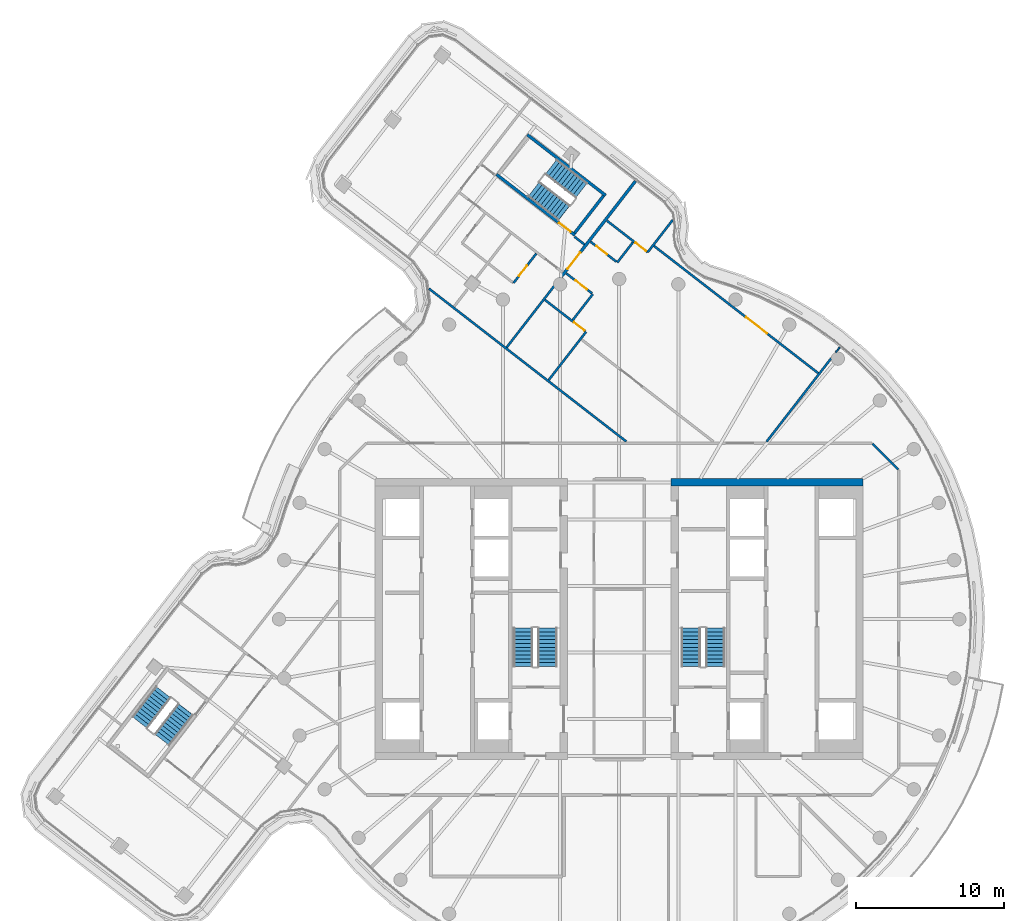
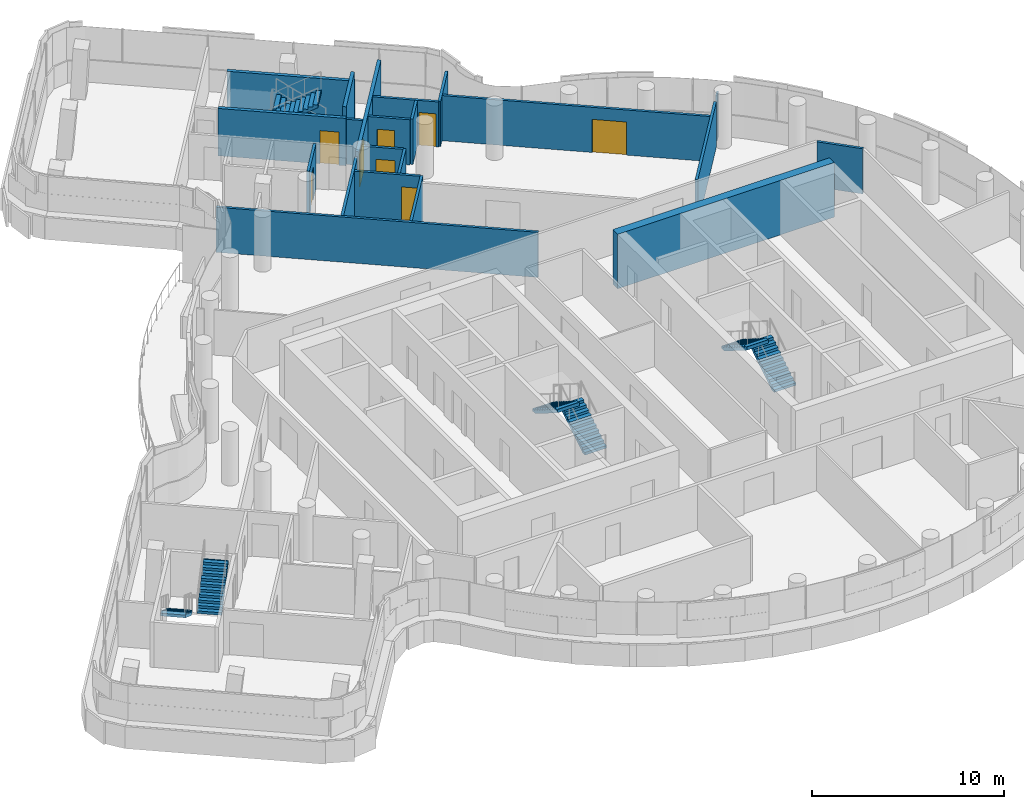
# One storey, part 20 of 26: 21 walls, 8 doors, 8 stair flights, 8 openings, 4 elements without a shape of their own.
"""IFC4 building model written with IfcOpenShell, lengths in metres."""

from ifc_helpers import new_model, si_unit, direction, frame, frame_2d, origin, place, context, subcontext, project, spatial, polyline, rectangle, outline, extrude, material, layer, layer_set, type_object, element, fill, aggregate, save


model = new_model("IFC4")

# Units and contexts
model_context = context("Model", 3, precision=1e-05, world=origin(), true_north=direction((0.0, 1.0)))
body_context = subcontext(model_context, "Body", "Model", "MODEL_VIEW")
ifc_project = project(units=[si_unit("LENGTHUNIT", "METRE"), si_unit("AREAUNIT", "SQUARE_METRE"), si_unit("VOLUMEUNIT", "CUBIC_METRE"), si_unit("PLANEANGLEUNIT", "RADIAN"), si_unit("MASSUNIT", "GRAM", prefix="KILO")], contexts=[model_context])

# Site, building, storey
site_placement = place(None, origin())
site = spatial("IfcSite", under=ifc_project, at=site_placement, CompositionType="ELEMENT")
building_placement = place(site_placement, origin())
building = spatial("IfcBuilding", under=site, at=building_placement, Name="Tamarind Cross Interchange Tower", CompositionType="ELEMENT")
storey_placement = place(building_placement, frame((0.0, 0.0, 223.5)))
storey = spatial("IfcBuildingStorey", under=building, at=storey_placement, Name="L56", CompositionType="ELEMENT", Elevation=223.5)

# Walls
ifc_material_1 = material(Name="Concrete C50", Category="concrete")
ifc_layer_1 = layer(ifc_material_1, 0.5)
ifc_layer_set_1 = layer_set([ifc_layer_1], Name="Concrete C50")
wall_type_1 = type_object("IfcWallType", Name="Core wall 500 mm Concrete C50", PredefinedType="SHEAR", material=ifc_layer_set_1)
wall_1_placement = place(storey_placement, frame((16.5, 9.25, 0.0), z_axis=(0.0, 0.0, 1.0), x_axis=(-1.0, 0.0, 0.0)))
element("IfcWall", 1, at=wall_1_placement, inside=storey, type_object=wall_type_1, Name="Core wall CWL-L56-E-NE", PredefinedType="SHEAR", context=body_context, shape_type="SweptSolid", body=[
    extrude(rectangle(XDim=13.0, YDim=0.5, at=frame_2d((6.5, 0.0))), origin(), (0.0, 0.0, 1.0), 3.4599609375),
])
ifc_material_2 = material(Name="Gypsum board partition on steel studs", Category="steel")
ifc_layer_2 = layer(ifc_material_2, 0.10009765625)
ifc_layer_set_2 = layer_set([ifc_layer_2], Name="Gypsum board partition on steel studs")
wall_type_2 = type_object("IfcWallType", Name="Partition 100 mm EI 90", PredefinedType="PARTITIONING", material=ifc_layer_set_2)
wall_2_placement = place(storey_placement, frame((14.643310546875, 18.041259765625, 0.0), z_axis=(0.0, 0.0, 1.0), x_axis=(0.612217769342, 0.790689194881, 0.0)))
element("IfcWall", 2, at=wall_2_placement, inside=storey, type_object=wall_type_2, Name="Partition L56-052", PredefinedType="PARTITIONING", context=body_context, shape_type="SweptSolid", body=[
    extrude(rectangle(XDim=0.44189453125, YDim=0.10009765625, at=frame_2d((0.220947265625, 0.0))), origin(), (0.0, 0.0, 1.0), 2.864013671875),
])
ifc_layer_3 = layer(ifc_material_2, 0.14990234375)
ifc_layer_set_3 = layer_set([ifc_layer_3], Name="Gypsum board partition on steel studs")
wall_type_3 = type_object("IfcWallType", Name="Partition 150 mm EI 120", PredefinedType="PARTITIONING", material=ifc_layer_set_3)
wall_3_placement = place(storey_placement, frame((17.12841796875, 11.87158203125, 0.0), z_axis=(0.0, 0.0, 1.0), x_axis=(0.707106781187, -0.707106781187, 0.0)))
element("IfcWall", 3, at=wall_3_placement, inside=storey, type_object=wall_type_3, Name="Partition L56-003", PredefinedType="PARTITIONING", context=body_context, shape_type="SweptSolid", body=[
    extrude(rectangle(XDim=2.465087890625, YDim=0.14990234375, at=frame_2d((1.232421875, 0.0))), origin(), (0.0, 0.0, 1.0), 2.864013671875),
])
wall_4_placement = place(storey_placement, frame((-12.86767578125, 22.353759765625, 0.0), z_axis=(0.0, 0.0, 1.0), x_axis=(0.790589551305, -0.61234643901, 0.0)))
element("IfcWall", 4, at=wall_4_placement, inside=storey, type_object=wall_type_3, Name="Partition L56-012", PredefinedType="PARTITIONING", context=body_context, shape_type="SweptSolid", body=[
    extrude(rectangle(XDim=16.881591796875, YDim=0.14990234375, at=frame_2d((8.44091796875, 0.0))), origin(), (0.0, 0.0, 1.0), 2.864013671875),
])
wall_5_placement = place(storey_placement, frame((-3.028564453125, 25.8642578125, 0.0), z_axis=(0.0, 0.0, 1.0), x_axis=(0.79054207558, -0.612407729163, 0.0)))
element("IfcWall", 5, at=wall_5_placement, inside=storey, type_object=wall_type_3, Name="Partition L56-016", PredefinedType="PARTITIONING", context=body_context, shape_type="SweptSolid", body=[
    extrude(rectangle(XDim=0.860595703125, YDim=0.14990234375, at=frame_2d((0.43017578125, 0.0))), origin(), (0.0, 0.0, 1.0), 2.864013671875),
])

# Wall, opening, door
wall_6_placement = place(storey_placement, frame((-5.022705078125, 21.590087890625, 0.0), z_axis=(0.0, 0.0, 1.0), x_axis=(0.790487958192, -0.612477581592, 0.0)))
wall_6 = element("IfcWall", 6, at=wall_6_placement, inside=storey, type_object=wall_type_3, Name="Partition L56-017", PredefinedType="PARTITIONING", context=body_context, shape_type="SweptSolid", body=[
    extrude(rectangle(XDim=3.4453125, YDim=0.14990234375, at=frame_2d((1.72265625, 0.0))), origin(), (0.0, 0.0, 1.0), 2.864013671875),
])
opening_1_placement = place(wall_6_placement, frame((2.469970703125, 0.0, 0.0)))
opening_1 = element("IfcOpeningElement", 7, at=opening_1_placement, cuts=wall_6, Name="Opening D06", PredefinedType="OPENING", context=body_context, shape_type="SweptSolid", body=[
    extrude(rectangle(XDim=0.89990234375, YDim=2.10009765625, at=frame_2d((0.449951171875, 1.050048828125))), frame((0.0, 0.0849609375, 0.0), z_axis=(0.0, -1.0, 0.0), x_axis=(1.0, 0.0, 0.0)), (0.0, 0.0, 1.0), 0.169921875),
])
ifc_material_3 = material(Name="Fire-resisting door set")
door_type_1 = type_object("IfcDoorType", Name="Interior door 900 x 2100 FD60S", OperationType="SINGLE_SWING_LEFT", PredefinedType="DOOR", material=ifc_material_3)
door_1_placement = place(opening_1_placement, frame((0.89990234375, 0.0, 0.0), z_axis=(0.0, 0.0, 1.0), x_axis=(-1.0, 0.0, 0.0)))
door_1 = element("IfcDoor", 8, at=door_1_placement, inside=storey, type_object=door_type_1, Name="Door D06", OperationType="SINGLE_SWING_RIGHT", OverallHeight=2.10009765625, OverallWidth=0.89990234375, PredefinedType="DOOR", context=body_context, shape_type="SweptSolid", body=[
    extrude(rectangle(XDim=0.89990234375, YDim=2.10009765625, at=frame_2d((0.449951171875, 1.050048828125))), frame((0.0, 0.02490234375, 0.0), z_axis=(0.0, -1.0, 0.0), x_axis=(1.0, 0.0, 0.0)), (0.0, 0.0, 1.0), 0.050048828125),
])
fill(opening_1, door_1)

wall_7_placement = place(storey_placement, frame((-3.5830078125, 23.383544921875, 0.0), z_axis=(0.0, 0.0, 1.0), x_axis=(0.790792860223, -0.612083860447, 0.0)))
wall_7 = element("IfcWall", 9, at=wall_7_placement, inside=storey, type_object=wall_type_3, Name="Partition L56-018", PredefinedType="PARTITIONING", context=body_context, shape_type="SweptSolid", body=[
    extrude(rectangle(XDim=2.204833984375, YDim=0.14990234375, at=frame_2d((1.1025390625, 0.0))), origin(), (0.0, 0.0, 1.0), 2.864013671875),
])
opening_2_placement = place(wall_7_placement, frame((0.780029296875, 0.0, 0.0)))
opening_2 = element("IfcOpeningElement", 10, at=opening_2_placement, cuts=wall_7, Name="Opening D07", PredefinedType="OPENING", context=body_context, shape_type="SweptSolid", body=[
    extrude(rectangle(XDim=1.0, YDim=2.10009765625, at=frame_2d((0.5, 1.050048828125))), frame((0.0, 0.0849609375, 0.0), z_axis=(0.0, -1.0, 0.0), x_axis=(1.0, 0.0, 0.0)), (0.0, 0.0, 1.0), 0.169921875),
])
door_type_2 = type_object("IfcDoorType", Name="Interior door 1000 x 2100 FD60S", OperationType="SINGLE_SWING_LEFT", PredefinedType="DOOR", material=ifc_material_3)
door_2_placement = place(opening_2_placement, frame((1.0, 0.0, 0.0), z_axis=(0.0, 0.0, 1.0), x_axis=(-1.0, 0.0, 0.0)))
door_2 = element("IfcDoor", 11, at=door_2_placement, inside=storey, type_object=door_type_2, Name="Door D07", OperationType="SINGLE_SWING_RIGHT", OverallHeight=2.10009765625, OverallWidth=1.0, PredefinedType="DOOR", context=body_context, shape_type="SweptSolid", body=[
    extrude(rectangle(XDim=1.0, YDim=2.10009765625, at=frame_2d((0.5, 1.050048828125))), frame((0.0, 0.02490234375, 0.0), z_axis=(0.0, -1.0, 0.0), x_axis=(1.0, 0.0, 0.0)), (0.0, 0.0, 1.0), 0.050048828125),
])
fill(opening_2, door_2)

wall_8_placement = place(storey_placement, frame((-1.92919921875, 25.5185546875, 0.0), z_axis=(0.0, 0.0, 1.0), x_axis=(0.790453918324, -0.61252151228, 0.0)))
wall_8 = element("IfcWall", 12, at=wall_8_placement, inside=storey, type_object=wall_type_3, Name="Partition L56-020", PredefinedType="PARTITIONING", context=body_context, shape_type="SweptSolid", body=[
    extrude(rectangle(XDim=2.205078125, YDim=0.14990234375, at=frame_2d((1.1025390625, 0.0))), origin(), (0.0, 0.0, 1.0), 2.864013671875),
])
opening_3_placement = place(wall_8_placement, frame((0.47998046875, 0.0, 0.0)))
opening_3 = element("IfcOpeningElement", 13, at=opening_3_placement, cuts=wall_8, Name="Opening D09", PredefinedType="OPENING", context=body_context, shape_type="SweptSolid", body=[
    extrude(rectangle(XDim=0.89990234375, YDim=2.10009765625, at=frame_2d((0.449951171875, 1.050048828125))), frame((0.0, 0.0849609375, 0.0), z_axis=(0.0, -1.0, 0.0), x_axis=(1.0, 0.0, 0.0)), (0.0, 0.0, 1.0), 0.169921875),
])
door_3_placement = place(opening_3_placement, origin())
door_3 = element("IfcDoor", 14, at=door_3_placement, inside=storey, type_object=door_type_1, Name="Door D09", OperationType="SINGLE_SWING_RIGHT", OverallHeight=2.10009765625, OverallWidth=0.89990234375, PredefinedType="DOOR", context=body_context, shape_type="SweptSolid", body=[
    extrude(rectangle(XDim=0.89990234375, YDim=2.10009765625, at=frame_2d((0.449951171875, 1.050048828125))), frame((0.0, 0.02490234375, 0.0), z_axis=(0.0, -1.0, 0.0), x_axis=(1.0, 0.0, 0.0)), (0.0, 0.0, 1.0), 0.050048828125),
])
fill(opening_3, door_3)

wall_9_placement = place(storey_placement, frame((-0.8271484375, 26.94140625, 0.0), z_axis=(0.0, 0.0, 1.0), x_axis=(0.790460316184, -0.612513255806, 0.0)))
wall_9 = element("IfcWall", 15, at=wall_9_placement, inside=storey, type_object=wall_type_3, Name="Partition L56-021", PredefinedType="PARTITIONING", context=body_context, shape_type="SweptSolid", body=[
    extrude(rectangle(XDim=3.460205078125, YDim=0.14990234375, at=frame_2d((1.72998046875, 0.0))), origin(), (0.0, 0.0, 1.0), 2.864013671875),
])
opening_4_placement = place(wall_9_placement, frame((2.429931640625, 0.0, 0.0)))
opening_4 = element("IfcOpeningElement", 16, at=opening_4_placement, cuts=wall_9, Name="Opening D10", PredefinedType="OPENING", context=body_context, shape_type="SweptSolid", body=[
    extrude(rectangle(XDim=0.89990234375, YDim=2.10009765625, at=frame_2d((0.449951171875, 1.050048828125))), frame((0.0, 0.0849609375, 0.0), z_axis=(0.0, -1.0, 0.0), x_axis=(1.0, 0.0, 0.0)), (0.0, 0.0, 1.0), 0.169921875),
])
door_4_placement = place(opening_4_placement, origin())
door_4 = element("IfcDoor", 17, at=door_4_placement, inside=storey, type_object=door_type_1, Name="Door D10", OperationType="SINGLE_SWING_LEFT", OverallHeight=2.10009765625, OverallWidth=0.89990234375, PredefinedType="DOOR", context=body_context, shape_type="SweptSolid", body=[
    extrude(rectangle(XDim=0.89990234375, YDim=2.10009765625, at=frame_2d((0.449951171875, 1.050048828125))), frame((0.0, 0.02490234375, 0.0), z_axis=(0.0, -1.0, 0.0), x_axis=(1.0, 0.0, 0.0)), (0.0, 0.0, 1.0), 0.050048828125),
])
fill(opening_4, door_4)

wall_10_placement = place(storey_placement, frame((2.355224609375, 25.236083984375, 0.0), z_axis=(0.0, 0.0, 1.0), x_axis=(0.790554792129, -0.612391313329, 0.0)))
wall_10 = element("IfcWall", 18, at=wall_10_placement, inside=storey, type_object=wall_type_3, Name="Partition L56-022", PredefinedType="PARTITIONING", context=body_context, shape_type="SweptSolid", body=[
    extrude(rectangle(XDim=14.040283203125, YDim=0.14990234375, at=frame_2d((7.02001953125, 0.0))), origin(), (0.0, 0.0, 1.0), 2.864013671875),
])
opening_5_placement = place(wall_10_placement, frame((7.8701171875, 0.0, 0.0)))
opening_5 = element("IfcOpeningElement", 19, at=opening_5_placement, cuts=wall_10, Name="Opening D11", PredefinedType="OPENING", context=body_context, shape_type="SweptSolid", body=[
    extrude(rectangle(XDim=1.800048828125, YDim=2.10009765625, at=frame_2d((0.89990234375, 1.050048828125))), frame((0.0, 0.0849609375, 0.0), z_axis=(0.0, -1.0, 0.0), x_axis=(1.0, 0.0, 0.0)), (0.0, 0.0, 1.0), 0.169921875),
])
door_type_3 = type_object("IfcDoorType", Name="Interior door 1800 x 2100 FD60S", OperationType="DOUBLE_DOOR_SINGLE_SWING", PredefinedType="DOOR", material=ifc_material_3)
door_5_placement = place(opening_5_placement, origin())
door_5 = element("IfcDoor", 20, at=door_5_placement, inside=storey, type_object=door_type_3, Name="Door D11", OperationType="DOUBLE_DOOR_SINGLE_SWING", OverallHeight=2.10009765625, OverallWidth=1.800048828125, PredefinedType="DOOR", context=body_context, shape_type="SweptSolid", body=[
    extrude(rectangle(XDim=1.800048828125, YDim=2.10009765625, at=frame_2d((0.89990234375, 1.050048828125))), frame((0.0, 0.02490234375, 0.0), z_axis=(0.0, -1.0, 0.0), x_axis=(1.0, 0.0, 0.0)), (0.0, 0.0, 1.0), 0.050048828125),
])
fill(opening_5, door_5)

# Wall
wall_11_placement = place(storey_placement, frame((-7.60888671875, 18.382080078125, 0.0), z_axis=(0.0, 0.0, 1.0), x_axis=(0.612374115558, 0.790568113823, 0.0)))
element("IfcWall", 21, at=wall_11_placement, inside=storey, type_object=wall_type_3, Name="Partition L56-044", PredefinedType="PARTITIONING", context=body_context, shape_type="SweptSolid", body=[
    extrude(rectangle(XDim=5.36669921875, YDim=0.14990234375, at=frame_2d((2.683349609375, 0.0))), origin(), (0.0, 0.0, 1.0), 2.864013671875),
])

# Wall, opening, door
wall_12_placement = place(storey_placement, frame((-7.14990234375, 22.73095703125, 0.0), z_axis=(0.0, 0.0, 1.0), x_axis=(0.612430986652, 0.790524058197, 0.0)))
wall_12 = element("IfcWall", 22, at=wall_12_placement, inside=storey, type_object=wall_type_3, Name="Partition L56-046", PredefinedType="PARTITIONING", context=body_context, shape_type="SweptSolid", body=[
    extrude(rectangle(XDim=2.52099609375, YDim=0.14990234375, at=frame_2d((1.260498046875, 0.0))), origin(), (0.0, 0.0, 1.0), 2.864013671875),
])
opening_6_placement = place(wall_12_placement, frame((0.60009765625, 0.0, 0.0)))
opening_6 = element("IfcOpeningElement", 23, at=opening_6_placement, cuts=wall_12, Name="Opening D28", PredefinedType="OPENING", context=body_context, shape_type="SweptSolid", body=[
    extrude(rectangle(XDim=0.89990234375, YDim=2.10009765625, at=frame_2d((0.449951171875, 1.050048828125))), frame((0.0, 0.0849609375, 0.0), z_axis=(0.0, -1.0, 0.0), x_axis=(1.0, 0.0, 0.0)), (0.0, 0.0, 1.0), 0.169921875),
])
door_6_placement = place(opening_6_placement, origin())
door_6 = element("IfcDoor", 24, at=door_6_placement, inside=storey, type_object=door_type_1, Name="Door D28", OperationType="SINGLE_SWING_RIGHT", OverallHeight=2.10009765625, OverallWidth=0.89990234375, PredefinedType="DOOR", context=body_context, shape_type="SweptSolid", body=[
    extrude(rectangle(XDim=0.89990234375, YDim=2.10009765625, at=frame_2d((0.449951171875, 1.050048828125))), frame((0.0, 0.02490234375, 0.0), z_axis=(0.0, -1.0, 0.0), x_axis=(1.0, 0.0, 0.0)), (0.0, 0.0, 1.0), 0.050048828125),
])
fill(opening_6, door_6)

# Walls
wall_13_placement = place(storey_placement, frame((-4.762939453125, 16.17724609375, 0.0), z_axis=(0.0, 0.0, 1.0), x_axis=(0.612470769592, 0.790493236148, 0.0)))
element("IfcWall", 25, at=wall_13_placement, inside=storey, type_object=wall_type_3, Name="Partition L56-047", PredefinedType="PARTITIONING", context=body_context, shape_type="SweptSolid", body=[
    extrude(rectangle(XDim=4.11962890625, YDim=0.14990234375, at=frame_2d((2.059814453125, 0.0))), origin(), (0.0, 0.0, 1.0), 2.864013671875),
])
wall_14_placement = place(storey_placement, frame((1.9248046875, 24.809326171875, 0.0), z_axis=(0.0, 0.0, 1.0), x_axis=(0.612512234209, 0.7904611078, 0.0)))
element("IfcWall", 26, at=wall_14_placement, inside=storey, type_object=wall_type_3, Name="Partition L56-048", PredefinedType="PARTITIONING", context=body_context, shape_type="SweptSolid", body=[
    extrude(rectangle(XDim=2.759033203125, YDim=0.14990234375, at=frame_2d((1.37939453125, 0.0))), origin(), (0.0, 0.0, 1.0), 2.864013671875),
])
wall_15_placement = place(storey_placement, frame((-3.139892578125, 20.232177734375, 0.0), z_axis=(0.0, 0.0, 1.0), x_axis=(0.612310650006, 0.790617270169, 0.0)))
element("IfcWall", 27, at=wall_15_placement, inside=storey, type_object=wall_type_3, Name="Partition L56-049", PredefinedType="PARTITIONING", context=body_context, shape_type="SweptSolid", body=[
    extrude(rectangle(XDim=2.220947265625, YDim=0.14990234375, at=frame_2d((1.1103515625, 0.0))), origin(), (0.0, 0.0, 1.0), 2.864013671875),
])
wall_16_placement = place(storey_placement, frame((-0.126953125, 24.1220703125, 0.0), z_axis=(0.0, 0.0, 1.0), x_axis=(0.612396492362, 0.790550780243, 0.0)))
element("IfcWall", 28, at=wall_16_placement, inside=storey, type_object=wall_type_3, Name="Partition L56-050", PredefinedType="PARTITIONING", context=body_context, shape_type="SweptSolid", body=[
    extrude(rectangle(XDim=1.7197265625, YDim=0.14990234375, at=frame_2d((0.85986328125, 0.0))), origin(), (0.0, 0.0, 1.0), 2.864013671875),
])
wall_17_placement = place(storey_placement, frame((9.964599609375, 12.002685546875, 0.0), z_axis=(0.0, 0.0, 1.0), x_axis=(0.612459269892, 0.790502145933, 0.0)))
element("IfcWall", 29, at=wall_17_placement, inside=storey, type_object=wall_type_3, Name="Partition L56-051", PredefinedType="PARTITIONING", context=body_context, shape_type="SweptSolid", body=[
    extrude(rectangle(XDim=7.125, YDim=0.14990234375, at=frame_2d((3.5625, 0.0))), origin(), (0.0, 0.0, 1.0), 2.864013671875),
])

# Wall, opening, door
ifc_layer_4 = layer(ifc_material_2, 0.199951171875)
ifc_layer_set_4 = layer_set([ifc_layer_4], Name="Gypsum board partition on steel studs")
wall_type_4 = type_object("IfcWallType", Name="Partition 200 mm EI 180", PredefinedType="PARTITIONING", material=ifc_layer_set_4)
wall_18_placement = place(storey_placement, frame((-4.046875, 22.98046875, 0.0), z_axis=(0.0, 0.0, 1.0), x_axis=(0.612446849715, 0.790511768587, 0.0)))
wall_18 = element("IfcWall", 30, at=wall_18_placement, inside=storey, type_object=wall_type_4, Name="Partition L56-045", PredefinedType="PARTITIONING", context=body_context, shape_type="SweptSolid", body=[
    extrude(rectangle(XDim=8.40185546875, YDim=0.199951171875, at=frame_2d((4.200927734375, 0.0))), origin(), (0.0, 0.0, 1.0), 2.864013671875),
])
opening_7_placement = place(wall_18_placement, frame((0.902587890625, 0.0, 0.0)))
opening_7 = element("IfcOpeningElement", 31, at=opening_7_placement, cuts=wall_18, Name="Opening D27", PredefinedType="OPENING", context=body_context, shape_type="SweptSolid", body=[
    extrude(rectangle(XDim=1.39990234375, YDim=2.10009765625, at=frame_2d((0.699951171875, 1.050048828125))), frame((0.0, 0.10986328125, 0.0), z_axis=(0.0, -1.0, 0.0), x_axis=(1.0, 0.0, 0.0)), (0.0, 0.0, 1.0), 0.219970703125),
])
door_type_4 = type_object("IfcDoorType", Name="Interior door 1400 x 2100 FD120S", OperationType="DOUBLE_DOOR_SINGLE_SWING", PredefinedType="DOOR", material=ifc_material_3)
door_7_placement = place(opening_7_placement, frame((1.39990234375, 0.0, 0.0), z_axis=(0.0, 0.0, 1.0), x_axis=(-1.0, 0.0, 0.0)))
door_7 = element("IfcDoor", 32, at=door_7_placement, inside=storey, type_object=door_type_4, Name="Door D27", OperationType="DOUBLE_DOOR_SINGLE_SWING", OverallHeight=2.10009765625, OverallWidth=1.39990234375, PredefinedType="DOOR", context=body_context, shape_type="SweptSolid", body=[
    extrude(rectangle(XDim=1.39990234375, YDim=2.10009765625, at=frame_2d((0.699951171875, 1.050048828125))), frame((0.0, 0.02490234375, 0.0), z_axis=(0.0, -1.0, 0.0), x_axis=(1.0, 0.0, 0.0)), (0.0, 0.0, 1.0), 0.050048828125),
])
fill(opening_7, door_7)

ifc_material_4 = material(Name="Concrete C40", Category="concrete")
ifc_layer_5 = layer(ifc_material_4, 0.199951171875)
ifc_layer_set_5 = layer_set([ifc_layer_5], Name="Concrete C40")
wall_type_5 = type_object("IfcWallType", Name="Stair shaft wall 200 mm Concrete C40", PredefinedType="SHEAR", material=ifc_layer_set_5)
wall_19_placement = place(storey_placement, frame((-2.998779296875, 25.967041015625, -0.139892578125), z_axis=(0.0, 0.0, 1.0), x_axis=(-0.790580869813, 0.612357647364, 0.0)))
wall_19 = element("IfcWall", 33, at=wall_19_placement, inside=storey, type_object=wall_type_5, Name="Core wall CWL-L56-ST4-H", PredefinedType="SHEAR", context=body_context, shape_type="SweptSolid", body=[
    extrude(rectangle(XDim=6.699951171875, YDim=0.199951171875, at=frame_2d((3.35009765625, 0.0))), origin(), (0.0, 0.0, 1.0), 3.00390625),
])
opening_8_placement = place(wall_19_placement, frame((0.35009765625, 0.0, 0.0)))
opening_8 = element("IfcOpeningElement", 34, at=opening_8_placement, cuts=wall_19, Name="Opening ST4L56", PredefinedType="OPENING", context=body_context, shape_type="SweptSolid", body=[
    extrude(rectangle(XDim=1.0, YDim=2.10009765625, at=frame_2d((0.5, 1.050048828125))), frame((0.0, 0.10986328125, 0.0), z_axis=(0.0, -1.0, 0.0), x_axis=(1.0, 0.0, 0.0)), (0.0, 0.0, 1.0), 0.219970703125),
])
ifc_material_5 = material(Name="Steel, fire-resisting", Category="steel")
door_type_5 = type_object("IfcDoorType", Name="Core fire door 1000 x 2100 FD90", OperationType="SINGLE_SWING_LEFT", PredefinedType="DOOR", material=ifc_material_5)
door_8_placement = place(opening_8_placement, origin())
door_8 = element("IfcDoor", 35, at=door_8_placement, inside=storey, type_object=door_type_5, Name="L56 stair door ST4", OperationType="SINGLE_SWING_LEFT", OverallHeight=2.10009765625, OverallWidth=1.0, PredefinedType="DOOR", context=body_context, shape_type="SweptSolid", body=[
    extrude(rectangle(XDim=1.0, YDim=2.10009765625, at=frame_2d((0.5, 1.050048828125))), frame((0.0, 0.02490234375, 0.0), z_axis=(0.0, -1.0, 0.0), x_axis=(1.0, 0.0, 0.0)), (0.0, 0.0, 1.0), 0.050048828125),
])
fill(opening_8, door_8)

# Walls
wall_20_placement = place(storey_placement, frame((-0.916748046875, 28.655029296875, -0.139892578125), z_axis=(0.0, 0.0, 1.0), x_axis=(-0.790580869813, 0.612357647364, 0.0)))
element("IfcWall", 36, at=wall_20_placement, inside=storey, type_object=wall_type_5, Name="Core wall CWL-L56-ST4-C", PredefinedType="SHEAR", context=body_context, shape_type="SweptSolid", body=[
    extrude(rectangle(XDim=6.699951171875, YDim=0.199951171875, at=frame_2d((3.35009765625, 0.0))), origin(), (0.0, 0.0, 1.0), 3.00390625),
])
wall_21_placement = place(storey_placement, frame((-1.056884765625, 28.63720703125, -0.139892578125), z_axis=(0.0, 0.0, 1.0), x_axis=(-0.612402442808, -0.790546170721, 0.0)))
element("IfcWall", 37, at=wall_21_placement, inside=storey, type_object=wall_type_5, Name="Core wall CWL-L56-ST4-CE", PredefinedType="SHEAR", context=body_context, shape_type="SweptSolid", body=[
    extrude(rectangle(XDim=3.199951171875, YDim=0.199951171875, at=frame_2d((1.60009765625, 0.0))), origin(), (0.0, 0.0, 1.0), 3.599853515625),
])

# Stair, stair flights
ifc_material_6 = material(Name="Exit stair")
stair_type = type_object("IfcStairType", Name="Exit stair", PredefinedType="HALF_TURN_STAIR", material=ifc_material_6)
stair_1_placement = place(storey_placement, origin())
stair_1 = element("IfcStair", 38, at=stair_1_placement, inside=storey, type_object=stair_type, Name="L56 exit stair ST1", PredefinedType="HALF_TURN_STAIR")
ifc_material_7 = material(Name="Exit stair flight")
stair_flight_type = type_object("IfcStairFlightType", Name="Exit stair flight", PredefinedType="STRAIGHT", material=ifc_material_7)
stair_flight_1_placement = place(storey_placement, frame((-4.85009765625, -3.199951171875, 0.0), z_axis=(0.0, 0.0, 1.0), x_axis=(0.0, 1.0, 0.0)))
stair_flight_1 = element("IfcStairFlight", 39, at=stair_flight_1_placement, type_object=stair_flight_type, Name="ST1 flight 1", NumberOfRisers=11, NumberOfTreads=10, PredefinedType="STRAIGHT", RiserHeight=0.163636364, TreadLength=0.26, context=body_context, shape_type="SweptSolid", body=[
    extrude(outline(polyline([(0.0, 0.0), (0.0, 0.16357421875), (0.260009765625, 0.16357421875), (0.260009765625, 0.327392578125), (0.52001953125, 0.327392578125), (0.52001953125, 0.490966796875), (0.780029296875, 0.490966796875), (0.780029296875, 0.654541015625), (1.0400390625, 0.654541015625), (1.0400390625, 0.818115234375), (1.300048828125, 0.818115234375), (1.300048828125, 0.98193359375), (1.56005859375, 0.98193359375), (1.56005859375, 1.1455078125), (1.820068359375, 1.1455078125), (1.820068359375, 1.30908203125), (2.080078125, 1.30908203125), (2.080078125, 1.47265625), (2.340087890625, 1.47265625), (2.340087890625, 1.636474609375), (2.60009765625, 1.636474609375), (2.60009765625, 1.800048828125), (2.60009765625, 1.459228515625), (0.281494140625, 0.0), (0.0, 0.0)])), frame((0.0, 0.64990234375, 0.0), z_axis=(0.0, -1.0, 0.0), x_axis=(1.0, 0.0, 0.0)), (0.0, 0.0, 1.0), 1.300048828125),
])
stair_flight_2_placement = place(storey_placement, frame((-6.5, -0.60009765625, 1.800048828125), z_axis=(0.0, 0.0, 1.0), x_axis=(0.0, -1.0, 0.0)))
stair_flight_2 = element("IfcStairFlight", 40, at=stair_flight_2_placement, type_object=stair_flight_type, Name="ST1 flight 2", NumberOfRisers=11, NumberOfTreads=10, PredefinedType="STRAIGHT", RiserHeight=0.163636364, TreadLength=0.26, context=body_context, shape_type="SweptSolid", body=[
    extrude(outline(polyline([(0.0, 0.0), (0.0, 0.16357421875), (0.260009765625, 0.16357421875), (0.260009765625, 0.327392578125), (0.52001953125, 0.327392578125), (0.52001953125, 0.490966796875), (0.780029296875, 0.490966796875), (0.780029296875, 0.654541015625), (1.0400390625, 0.654541015625), (1.0400390625, 0.818115234375), (1.300048828125, 0.818115234375), (1.300048828125, 0.98193359375), (1.56005859375, 0.98193359375), (1.56005859375, 1.1455078125), (1.820068359375, 1.1455078125), (1.820068359375, 1.30908203125), (2.080078125, 1.30908203125), (2.080078125, 1.47265625), (2.340087890625, 1.47265625), (2.340087890625, 1.636474609375), (2.60009765625, 1.636474609375), (2.60009765625, 1.679931640625), (2.612060546875, 1.679931640625), (2.612060546875, 1.466796875), (0.281494140625, 0.0), (0.0, 0.0)])), frame((0.0, 0.64990234375, 0.0), z_axis=(0.0, -1.0, 0.0), x_axis=(1.0, 0.0, 0.0)), (0.0, 0.0, 1.0), 1.300048828125),
])
aggregate(stair_1, [stair_flight_1, stair_flight_2])

stair_2_placement = place(storey_placement, origin())
stair_2 = element("IfcStair", 41, at=stair_2_placement, inside=storey, type_object=stair_type, Name="L56 exit stair ST2", PredefinedType="HALF_TURN_STAIR")
stair_flight_3_placement = place(storey_placement, frame((6.5, -3.199951171875, 0.0), z_axis=(0.0, 0.0, 1.0), x_axis=(0.0, 1.0, 0.0)))
stair_flight_3 = element("IfcStairFlight", 42, at=stair_flight_3_placement, type_object=stair_flight_type, Name="ST2 flight 1", NumberOfRisers=11, NumberOfTreads=10, PredefinedType="STRAIGHT", RiserHeight=0.163636364, TreadLength=0.26, context=body_context, shape_type="SweptSolid", body=[
    extrude(outline(polyline([(0.0, 0.0), (0.0, 0.16357421875), (0.260009765625, 0.16357421875), (0.260009765625, 0.327392578125), (0.52001953125, 0.327392578125), (0.52001953125, 0.490966796875), (0.780029296875, 0.490966796875), (0.780029296875, 0.654541015625), (1.0400390625, 0.654541015625), (1.0400390625, 0.818115234375), (1.300048828125, 0.818115234375), (1.300048828125, 0.98193359375), (1.56005859375, 0.98193359375), (1.56005859375, 1.1455078125), (1.820068359375, 1.1455078125), (1.820068359375, 1.30908203125), (2.080078125, 1.30908203125), (2.080078125, 1.47265625), (2.340087890625, 1.47265625), (2.340087890625, 1.636474609375), (2.60009765625, 1.636474609375), (2.60009765625, 1.800048828125), (2.60009765625, 1.459228515625), (0.281494140625, 0.0), (0.0, 0.0)])), frame((0.0, 0.64990234375, 0.0), z_axis=(0.0, -1.0, 0.0), x_axis=(1.0, 0.0, 0.0)), (0.0, 0.0, 1.0), 1.300048828125),
])
stair_flight_4_placement = place(storey_placement, frame((4.85009765625, -0.60009765625, 1.800048828125), z_axis=(0.0, 0.0, 1.0), x_axis=(0.0, -1.0, 0.0)))
stair_flight_4 = element("IfcStairFlight", 43, at=stair_flight_4_placement, type_object=stair_flight_type, Name="ST2 flight 2", NumberOfRisers=11, NumberOfTreads=10, PredefinedType="STRAIGHT", RiserHeight=0.163636364, TreadLength=0.26, context=body_context, shape_type="SweptSolid", body=[
    extrude(outline(polyline([(0.0, 0.0), (0.0, 0.16357421875), (0.260009765625, 0.16357421875), (0.260009765625, 0.327392578125), (0.52001953125, 0.327392578125), (0.52001953125, 0.490966796875), (0.780029296875, 0.490966796875), (0.780029296875, 0.654541015625), (1.0400390625, 0.654541015625), (1.0400390625, 0.818115234375), (1.300048828125, 0.818115234375), (1.300048828125, 0.98193359375), (1.56005859375, 0.98193359375), (1.56005859375, 1.1455078125), (1.820068359375, 1.1455078125), (1.820068359375, 1.30908203125), (2.080078125, 1.30908203125), (2.080078125, 1.47265625), (2.340087890625, 1.47265625), (2.340087890625, 1.636474609375), (2.60009765625, 1.636474609375), (2.60009765625, 1.679931640625), (2.612060546875, 1.679931640625), (2.612060546875, 1.466796875), (0.281494140625, 0.0), (0.0, 0.0)])), frame((0.0, 0.64990234375, 0.0), z_axis=(0.0, -1.0, 0.0), x_axis=(1.0, 0.0, 0.0)), (0.0, 0.0, 1.0), 1.300048828125),
])
aggregate(stair_2, [stair_flight_3, stair_flight_4])

stair_3_placement = place(storey_placement, origin())
stair_3 = element("IfcStair", 44, at=stair_3_placement, inside=storey, type_object=stair_type, Name="L56 exit stair ST4", PredefinedType="HALF_TURN_STAIR")
stair_flight_5_placement = place(storey_placement, frame((-2.561767578125, 28.980712890625, 0.0), z_axis=(0.0, 0.0, 1.0), x_axis=(-0.790582709629, 0.612355272073, 0.0)))
stair_flight_5 = element("IfcStairFlight", 45, at=stair_flight_5_placement, type_object=stair_flight_type, Name="ST4 flight 1", NumberOfRisers=11, NumberOfTreads=10, PredefinedType="STRAIGHT", RiserHeight=0.163636364, TreadLength=0.26, context=body_context, shape_type="SweptSolid", body=[
    extrude(outline(polyline([(0.0, 0.0), (0.0, 0.16357421875), (0.260009765625, 0.16357421875), (0.260009765625, 0.327392578125), (0.52001953125, 0.327392578125), (0.52001953125, 0.490966796875), (0.780029296875, 0.490966796875), (0.780029296875, 0.654541015625), (1.0400390625, 0.654541015625), (1.0400390625, 0.818115234375), (1.300048828125, 0.818115234375), (1.300048828125, 0.98193359375), (1.56005859375, 0.98193359375), (1.56005859375, 1.1455078125), (1.820068359375, 1.1455078125), (1.820068359375, 1.30908203125), (2.080078125, 1.30908203125), (2.080078125, 1.47265625), (2.340087890625, 1.47265625), (2.340087890625, 1.636474609375), (2.60009765625, 1.636474609375), (2.60009765625, 1.800048828125), (2.60009765625, 1.459228515625), (0.281494140625, 0.0), (0.0, 0.0)])), frame((0.0, 0.64990234375, 0.0), z_axis=(0.0, -1.0, 0.0), x_axis=(1.0, 0.0, 0.0)), (0.0, 0.0, 1.0), 1.300048828125),
])
stair_flight_6_placement = place(storey_placement, frame((-5.78076171875, 29.070556640625, 1.800048828125), z_axis=(0.0, 0.0, 1.0), x_axis=(0.790582709629, -0.612355272073, 0.0)))
stair_flight_6 = element("IfcStairFlight", 46, at=stair_flight_6_placement, type_object=stair_flight_type, Name="ST4 flight 2", NumberOfRisers=11, NumberOfTreads=10, PredefinedType="STRAIGHT", RiserHeight=0.163636364, TreadLength=0.26, context=body_context, shape_type="SweptSolid", body=[
    extrude(outline(polyline([(0.0, 0.0), (0.0, 0.16357421875), (0.260009765625, 0.16357421875), (0.260009765625, 0.327392578125), (0.52001953125, 0.327392578125), (0.52001953125, 0.490966796875), (0.780029296875, 0.490966796875), (0.780029296875, 0.654541015625), (1.0400390625, 0.654541015625), (1.0400390625, 0.818115234375), (1.300048828125, 0.818115234375), (1.300048828125, 0.98193359375), (1.56005859375, 0.98193359375), (1.56005859375, 1.1455078125), (1.820068359375, 1.1455078125), (1.820068359375, 1.30908203125), (2.080078125, 1.30908203125), (2.080078125, 1.47265625), (2.340087890625, 1.47265625), (2.340087890625, 1.636474609375), (2.60009765625, 1.636474609375), (2.60009765625, 1.679931640625), (2.612060546875, 1.679931640625), (2.612060546875, 1.466796875), (0.281494140625, 0.0), (0.0, 0.0)])), frame((0.0, 0.64990234375, 0.0), z_axis=(0.0, -1.0, 0.0), x_axis=(1.0, 0.0, 0.0)), (0.0, 0.0, 1.0), 1.300048828125),
])
aggregate(stair_3, [stair_flight_5, stair_flight_6])

stair_4_placement = place(storey_placement, origin())
stair_4 = element("IfcStair", 47, at=stair_4_placement, inside=storey, type_object=stair_type, Name="L56 exit stair ST5", PredefinedType="HALF_TURN_STAIR")
stair_flight_7_placement = place(storey_placement, frame((-30.817626953125, -4.93359375, 0.0), z_axis=(0.0, 0.0, 1.0), x_axis=(-0.612355272073, -0.790582709629, 0.0)))
stair_flight_7 = element("IfcStairFlight", 48, at=stair_flight_7_placement, type_object=stair_flight_type, Name="ST5 flight 1", NumberOfRisers=11, NumberOfTreads=10, PredefinedType="STRAIGHT", RiserHeight=0.163636364, TreadLength=0.26, context=body_context, shape_type="SweptSolid", body=[
    extrude(outline(polyline([(0.0, 0.0), (0.0, 0.16357421875), (0.260009765625, 0.16357421875), (0.260009765625, 0.327392578125), (0.52001953125, 0.327392578125), (0.52001953125, 0.490966796875), (0.780029296875, 0.490966796875), (0.780029296875, 0.654541015625), (1.0400390625, 0.654541015625), (1.0400390625, 0.818115234375), (1.300048828125, 0.818115234375), (1.300048828125, 0.98193359375), (1.56005859375, 0.98193359375), (1.56005859375, 1.1455078125), (1.820068359375, 1.1455078125), (1.820068359375, 1.30908203125), (2.080078125, 1.30908203125), (2.080078125, 1.47265625), (2.340087890625, 1.47265625), (2.340087890625, 1.636474609375), (2.60009765625, 1.636474609375), (2.60009765625, 1.800048828125), (2.60009765625, 1.459228515625), (0.281494140625, 0.0), (0.0, 0.0)])), frame((0.0, 0.64990234375, 0.0), z_axis=(0.0, -1.0, 0.0), x_axis=(1.0, 0.0, 0.0)), (0.0, 0.0, 1.0), 1.300048828125),
])
stair_flight_8_placement = place(storey_placement, frame((-30.90771484375, -8.152587890625, 1.800048828125), z_axis=(0.0, 0.0, 1.0), x_axis=(0.612355272073, 0.790582709629, 0.0)))
stair_flight_8 = element("IfcStairFlight", 49, at=stair_flight_8_placement, type_object=stair_flight_type, Name="ST5 flight 2", NumberOfRisers=11, NumberOfTreads=10, PredefinedType="STRAIGHT", RiserHeight=0.163636364, TreadLength=0.26, context=body_context, shape_type="SweptSolid", body=[
    extrude(outline(polyline([(0.0, 0.0), (0.0, 0.16357421875), (0.260009765625, 0.16357421875), (0.260009765625, 0.327392578125), (0.52001953125, 0.327392578125), (0.52001953125, 0.490966796875), (0.780029296875, 0.490966796875), (0.780029296875, 0.654541015625), (1.0400390625, 0.654541015625), (1.0400390625, 0.818115234375), (1.300048828125, 0.818115234375), (1.300048828125, 0.98193359375), (1.56005859375, 0.98193359375), (1.56005859375, 1.1455078125), (1.820068359375, 1.1455078125), (1.820068359375, 1.30908203125), (2.080078125, 1.30908203125), (2.080078125, 1.47265625), (2.340087890625, 1.47265625), (2.340087890625, 1.636474609375), (2.60009765625, 1.636474609375), (2.60009765625, 1.679931640625), (2.612060546875, 1.679931640625), (2.612060546875, 1.466796875), (0.281494140625, 0.0), (0.0, 0.0)])), frame((0.0, 0.64990234375, 0.0), z_axis=(0.0, -1.0, 0.0), x_axis=(1.0, 0.0, 0.0)), (0.0, 0.0, 1.0), 1.300048828125),
])
aggregate(stair_4, [stair_flight_7, stair_flight_8])

save(model, "model.ifc")
